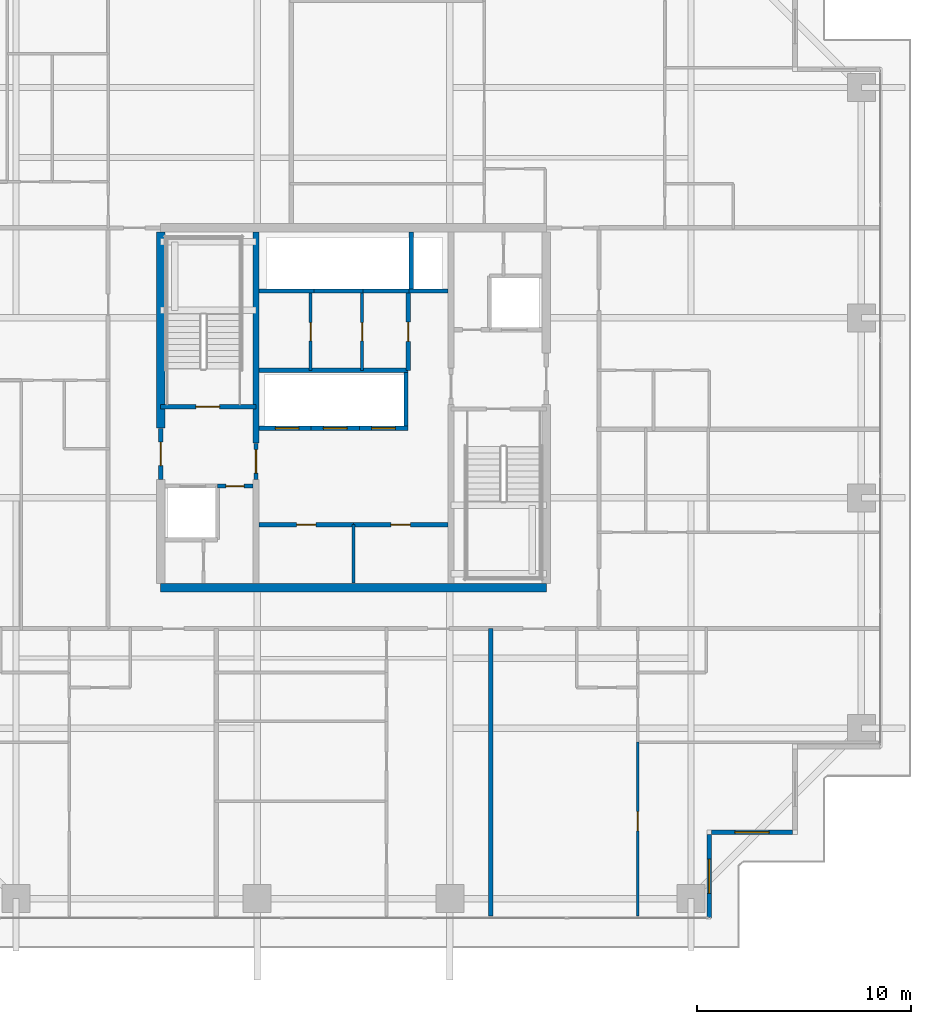
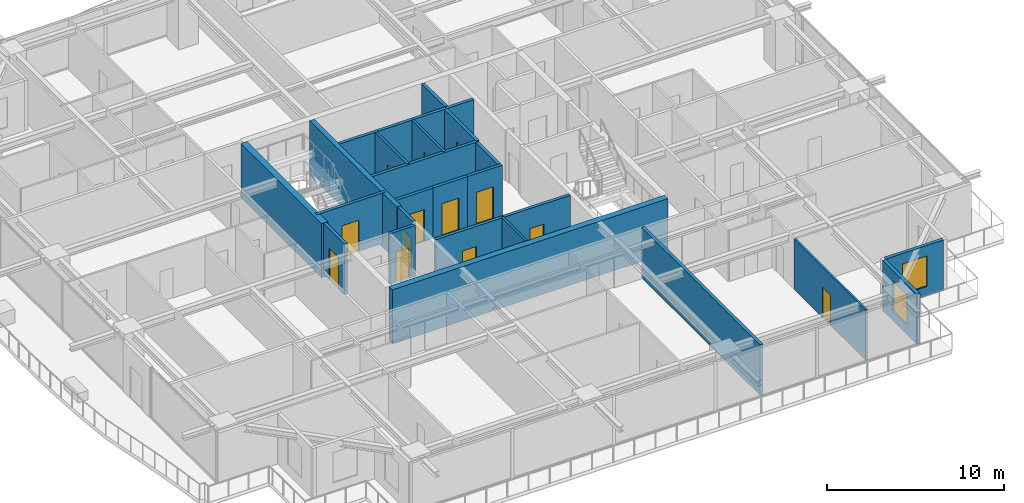
# One storey, part 28 of 37: 27 walls, 13 doors, 2 windows, 15 openings.
"""IFC4 building model written with IfcOpenShell, lengths in metres."""

from ifc_helpers import new_model, si_unit, direction, frame, frame_2d, origin, place, context, subcontext, project, spatial, rectangle, extrude, source, transform, mapped, material, layer, layer_set, type_object, element, fill, save


model = new_model("IFC4")

# Units and contexts
model_context = context("Model", 3, precision=1e-05, world=origin(), true_north=direction((0.0, 1.0)))
body_context = subcontext(model_context, "Body", "Model", "MODEL_VIEW")
ifc_project = project(units=[si_unit("LENGTHUNIT", "METRE"), si_unit("AREAUNIT", "SQUARE_METRE"), si_unit("VOLUMEUNIT", "CUBIC_METRE"), si_unit("PLANEANGLEUNIT", "RADIAN"), si_unit("MASSUNIT", "GRAM", prefix="KILO")], contexts=[model_context])

# Site, building, storey
site_placement = place(None, origin())
site = spatial("IfcSite", under=ifc_project, at=site_placement, CompositionType="ELEMENT")
building_placement = place(site_placement, origin())
building = spatial("IfcBuilding", under=site, at=building_placement, Name="Serunith Strait Residences", CompositionType="ELEMENT")
storey_placement = place(building_placement, frame((0.0, 0.0, 138.89990234375)))
storey = spatial("IfcBuildingStorey", under=building, at=storey_placement, Name="L34", CompositionType="ELEMENT", Elevation=138.89990234375)

# Wall, opening, window
ifc_material_1 = material(Name="Pale-Champagne Aluminium Insulated Panel", Category="aluminium")
ifc_layer_1 = layer(ifc_material_1, 0.219970703125, Name="Pale-Champagne Aluminium Insulated Panel")
ifc_layer_set_1 = layer_set([ifc_layer_1], Name="Pale-Champagne Aluminium Insulated Panel")
wall_type_1 = type_object("IfcWallType", Name="EW-ALUM-220", PredefinedType="ELEMENTEDWALL", material=ifc_layer_set_1)
wall_1_placement = place(storey_placement, frame((49.0, 1.39990234375, 0.0), z_axis=(0.0, 0.0, 1.0), x_axis=(0.0, 1.0, 0.0)))
wall_1 = element("IfcWall", 1, at=wall_1_placement, inside=storey, type_object=wall_type_1, Name="L34 Girih Serrated Corner Wall 02", PredefinedType="ELEMENTEDWALL", context=body_context, shape_type="SweptSolid", body=[
    extrude(rectangle(XDim=3.89013671875, YDim=0.219970703125, at=frame_2d((1.945068359375, 0.0))), origin(), (0.0, 0.0, 1.0), 3.47509765625),
])
opening_1_placement = place(wall_1_placement, frame((1.14501953125, 0.0, 0.64990234375)))
opening_1 = element("IfcOpeningElement", 2, at=opening_1_placement, cuts=wall_1, Name="Opening W-02", PredefinedType="OPENING", context=body_context, shape_type="SweptSolid", body=[
    extrude(rectangle(XDim=1.60009765625, YDim=2.10009765625, at=frame_2d((0.800048828125, 1.050048828125))), frame((0.0, 0.1201171875, 0.0), z_axis=(0.0, -1.0, 0.0), x_axis=(1.0, 0.0, 0.0)), (0.0, 0.0, 1.0), 0.239990234375),
])
ifc_material_2 = material(Name="Ceramic-Fritted Operable Aluminium Window Glass", Category="aluminium")
window_type = type_object("IfcWindowType", Name="WIN-C2", PartitioningType="DOUBLE_PANEL_VERTICAL", PredefinedType="WINDOW", material=ifc_material_2)
shared_shape_1 = source(origin(), body_context, "Body", "SweptSolid", [
    extrude(rectangle(XDim=1.60009765625, YDim=2.10009765625, at=frame_2d((0.800048828125, 1.050048828125))), frame((0.0, 0.030029296875, 0.0), z_axis=(0.0, -1.0, 0.0), x_axis=(1.0, 0.0, 0.0)), (0.0, 0.0, 1.0), 0.06005859375),
])
window_1_placement = place(opening_1_placement, origin())
window_1 = element("IfcWindow", 3, at=window_1_placement, inside=storey, type_object=window_type, Name="L34 Corner Operable Fritted Window 02", OverallHeight=2.10009765625, OverallWidth=1.60009765625, PartitioningType="SINGLE_PANEL", PredefinedType="WINDOW", context=body_context, shape_type="MappedRepresentation", body=[
    mapped(shared_shape_1, transform((0.0, 0.0, 0.0), scale=1.0)),
])
fill(opening_1, window_1)

wall_2_placement = place(storey_placement, frame((49.110107421875, 5.39990234375, 0.0), z_axis=(0.0, 0.0, 1.0), x_axis=(1.0, 0.0, 0.0)))
wall_2 = element("IfcWall", 4, at=wall_2_placement, inside=storey, type_object=wall_type_1, Name="L34 Girih Serrated Corner Wall 03", PredefinedType="ELEMENTEDWALL", context=body_context, shape_type="SweptSolid", body=[
    extrude(rectangle(XDim=3.77978515625, YDim=0.219970703125, at=frame_2d((1.889892578125, 0.0))), origin(), (0.0, 0.0, 1.0), 3.47509765625),
])
opening_2_placement = place(wall_2_placement, frame((1.090087890625, 0.0, 0.64990234375)))
opening_2 = element("IfcOpeningElement", 5, at=opening_2_placement, cuts=wall_2, Name="Opening W-02", PredefinedType="OPENING", context=body_context, shape_type="SweptSolid", body=[
    extrude(rectangle(XDim=1.60009765625, YDim=2.10009765625, at=frame_2d((0.800048828125, 1.050048828125))), frame((0.0, 0.1201171875, 0.0), z_axis=(0.0, -1.0, 0.0), x_axis=(1.0, 0.0, 0.0)), (0.0, 0.0, 1.0), 0.239990234375),
])
window_2_placement = place(opening_2_placement, origin())
window_2 = element("IfcWindow", 6, at=window_2_placement, inside=storey, type_object=window_type, Name="L34 Corner Operable Fritted Window 03", OverallHeight=2.10009765625, OverallWidth=1.60009765625, PartitioningType="SINGLE_PANEL", PredefinedType="WINDOW", context=body_context, shape_type="MappedRepresentation", body=[
    mapped(shared_shape_1, transform((0.0, 0.0, 0.0), scale=1.0)),
])
fill(opening_2, window_2)

# Wall, opening, door
ifc_material_3 = material(Name="Fire-rated masonry service closet wall", Category="masonry")
ifc_layer_2 = layer(ifc_material_3, 0.14990234375, Name="Fire-rated masonry service closet wall")
ifc_layer_set_2 = layer_set([ifc_layer_2], Name="Fire-rated masonry service closet wall")
wall_type_2 = type_object("IfcWallType", Name="IW-BOH-150", PredefinedType="PARTITIONING", material=ifc_layer_set_2)
wall_3_placement = place(storey_placement, frame((32.800048828125, 26.949951171875, 0.0), z_axis=(0.0, 0.0, 1.0), x_axis=(0.0, 1.0, 0.0)))
wall_3 = element("IfcWall", 7, at=wall_3_placement, inside=storey, type_object=wall_type_2, Name="L34 Partition Wall 015", PredefinedType="PARTITIONING", context=body_context, shape_type="SweptSolid", body=[
    extrude(rectangle(XDim=3.60009765625, YDim=0.14990234375, at=frame_2d((1.800048828125, 0.0))), origin(), (0.0, 0.0, 1.0), 3.489990234375),
])
opening_3_placement = place(wall_3_placement, frame((1.375, 0.0, 0.0)))
opening_3 = element("IfcOpeningElement", 8, at=opening_3_placement, cuts=wall_3, Name="Opening FD-850", PredefinedType="OPENING", context=body_context, shape_type="SweptSolid", body=[
    extrude(rectangle(XDim=0.85009765625, YDim=2.10009765625, at=frame_2d((0.425048828125, 1.050048828125))), frame((0.0, 0.0849609375, 0.0), z_axis=(0.0, -1.0, 0.0), x_axis=(1.0, 0.0, 0.0)), (0.0, 0.0, 1.0), 0.169921875),
])
ifc_material_4 = material(Name="Powder-coated steel service closet door", Category="steel")
door_type_1 = type_object("IfcDoorType", Name="FD-BOH-850", OperationType="NOTDEFINED", PredefinedType="DOOR", material=ifc_material_4)
shared_shape_2 = source(origin(), body_context, "Body", "SweptSolid", [
    extrude(rectangle(XDim=0.85009765625, YDim=2.10009765625, at=frame_2d((0.425048828125, 1.050048828125))), frame((0.0, 0.02490234375, 0.0), z_axis=(0.0, -1.0, 0.0), x_axis=(1.0, 0.0, 0.0)), (0.0, 0.0, 1.0), 0.050048828125),
])
door_1_placement = place(opening_3_placement, origin())
door_1 = element("IfcDoor", 9, at=door_1_placement, inside=storey, type_object=door_type_1, Name="L34 Linen Store Door", OperationType="SINGLE_SWING_RIGHT", OverallHeight=2.10009765625, OverallWidth=0.85009765625, PredefinedType="DOOR", context=body_context, shape_type="MappedRepresentation", body=[
    mapped(shared_shape_2, transform((0.0, 0.0, 0.0), scale=1.0)),
])
fill(opening_3, door_1)

wall_4_placement = place(storey_placement, frame((30.39990234375, 26.949951171875, 0.0), z_axis=(0.0, 0.0, 1.0), x_axis=(0.0, 1.0, 0.0)))
wall_4 = element("IfcWall", 10, at=wall_4_placement, inside=storey, type_object=wall_type_2, Name="L34 Partition Wall 016", PredefinedType="PARTITIONING", context=body_context, shape_type="SweptSolid", body=[
    extrude(rectangle(XDim=3.60009765625, YDim=0.14990234375, at=frame_2d((1.800048828125, 0.0))), origin(), (0.0, 0.0, 1.0), 3.489990234375),
])
opening_4_placement = place(wall_4_placement, frame((1.375, 0.0, 0.0)))
opening_4 = element("IfcOpeningElement", 11, at=opening_4_placement, cuts=wall_4, Name="Opening FD-850", PredefinedType="OPENING", context=body_context, shape_type="SweptSolid", body=[
    extrude(rectangle(XDim=0.85009765625, YDim=2.10009765625, at=frame_2d((0.425048828125, 1.050048828125))), frame((0.0, 0.0849609375, 0.0), z_axis=(0.0, -1.0, 0.0), x_axis=(1.0, 0.0, 0.0)), (0.0, 0.0, 1.0), 0.169921875),
])
door_2_placement = place(opening_4_placement, origin())
door_2 = element("IfcDoor", 12, at=door_2_placement, inside=storey, type_object=door_type_1, Name="L34 Housekeeping Supply Door", OperationType="SINGLE_SWING_LEFT", OverallHeight=2.10009765625, OverallWidth=0.85009765625, PredefinedType="DOOR", context=body_context, shape_type="MappedRepresentation", body=[
    mapped(shared_shape_2, transform((0.0, 0.0, 0.0), scale=1.0)),
])
fill(opening_4, door_2)

# Wall
wall_5_placement = place(storey_placement, frame((32.39990234375, 17.02001953125, 0.0), z_axis=(0.0, 0.0, 1.0), x_axis=(0.0, 1.0, 0.0)))
element("IfcWall", 13, at=wall_5_placement, inside=storey, type_object=wall_type_2, Name="L34 Partition Wall 019", PredefinedType="PARTITIONING", context=body_context, shape_type="SweptSolid", body=[
    extrude(rectangle(XDim=2.72998046875, YDim=0.14990234375, at=frame_2d((1.364990234375, 0.0))), origin(), (0.0, 0.0, 1.0), 3.489990234375),
])

# Wall, opening, door
ifc_material_5 = material(Name="Lightweight steel-stud gypsum partition", Category="steel")
ifc_layer_3 = layer(ifc_material_5, 0.1201171875, Name="Lightweight steel-stud gypsum partition")
ifc_layer_set_3 = layer_set([ifc_layer_3], Name="Lightweight steel-stud gypsum partition")
wall_type_3 = type_object("IfcWallType", Name="IW-PART-120", PredefinedType="PARTITIONING", material=ifc_layer_set_3)
wall_6_placement = place(storey_placement, frame((45.659912109375, 1.4951171875, 0.0), z_axis=(0.0, 0.0, 1.0), x_axis=(0.0, 1.0, 0.0)))
wall_6 = element("IfcWall", 14, at=wall_6_placement, inside=storey, type_object=wall_type_3, Name="L34 Partition Wall 050", PredefinedType="PARTITIONING", context=body_context, shape_type="SweptSolid", body=[
    extrude(rectangle(XDim=8.102783203125, YDim=0.1201171875, at=frame_2d((4.05126953125, 0.0))), origin(), (0.0, 0.0, 1.0), 3.489990234375),
])
opening_5_placement = place(wall_6_placement, frame((3.9619140625, 0.0, 0.0)))
opening_5 = element("IfcOpeningElement", 15, at=opening_5_placement, cuts=wall_6, Name="Opening D-RM900", PredefinedType="OPENING", context=body_context, shape_type="SweptSolid", body=[
    extrude(rectangle(XDim=0.89990234375, YDim=2.10009765625, at=frame_2d((0.449951171875, 1.050048828125))), frame((0.0, 0.070068359375, 0.0), z_axis=(0.0, -1.0, 0.0), x_axis=(1.0, 0.0, 0.0)), (0.0, 0.0, 1.0), 0.14013671875),
])
ifc_material_6 = material(Name="Engineered timber flush bedroom door", Category="wood")
door_type_2 = type_object("IfcDoorType", Name="ID-ROOM-900", OperationType="NOTDEFINED", PredefinedType="DOOR", material=ifc_material_6)
shared_shape_3 = source(origin(), body_context, "Body", "SweptSolid", [
    extrude(rectangle(XDim=0.89990234375, YDim=2.10009765625, at=frame_2d((0.449951171875, 1.050048828125))), frame((0.0, 0.02490234375, 0.0), z_axis=(0.0, -1.0, 0.0), x_axis=(1.0, 0.0, 0.0)), (0.0, 0.0, 1.0), 0.050048828125),
])
door_3_placement = place(opening_5_placement, origin())
door_3 = element("IfcDoor", 16, at=door_3_placement, inside=storey, type_object=door_type_2, Name="L34 Master Bedroom 1 3403 Door", OperationType="SINGLE_SWING_LEFT", OverallHeight=2.10009765625, OverallWidth=0.89990234375, PredefinedType="DOOR", context=body_context, shape_type="MappedRepresentation", body=[
    mapped(shared_shape_3, transform((0.0, 0.0, 0.0), scale=1.0)),
])
fill(opening_5, door_3)

# Wall
ifc_material_7 = material(Name="Twin-stud acoustic gypsum board partition")
ifc_layer_4 = layer(ifc_material_7, 0.199951171875, Name="Twin-stud acoustic gypsum board partition")
ifc_layer_set_4 = layer_set([ifc_layer_4], Name="Twin-stud acoustic gypsum board partition")
wall_type_4 = type_object("IfcWallType", Name="IW-PARTY-200", PredefinedType="PARTITIONING", material=ifc_layer_set_4)
wall_7_placement = place(storey_placement, frame((38.800048828125, 1.48193359375, 0.0), z_axis=(0.0, 0.0, 1.0), x_axis=(0.0, 1.0, 0.0)))
element("IfcWall", 17, at=wall_7_placement, inside=storey, type_object=wall_type_4, Name="L34 Partition Wall 021", PredefinedType="PARTITIONING", context=body_context, shape_type="SweptSolid", body=[
    extrude(rectangle(XDim=13.41796875, YDim=0.199951171875, at=frame_2d((6.708984375, 0.0))), origin(), (0.0, 0.0, 1.0), 3.489990234375),
])

# Wall, opening, door
ifc_material_8 = material(Name="Autoclaved aerated concrete blockwork", Category="masonry")
ifc_layer_5 = layer(ifc_material_8, 0.199951171875, Name="Autoclaved aerated concrete blockwork")
ifc_layer_set_5 = layer_set([ifc_layer_5], Name="Autoclaved aerated concrete blockwork")
wall_type_5 = type_object("IfcWallType", Name="IW-SHAFT-200", PredefinedType="STANDARD", material=ifc_layer_set_5)
wall_8_placement = place(storey_placement, frame((23.39990234375, 25.25, 0.0), z_axis=(0.0, 0.0, 1.0), x_axis=(1.0, 0.0, 0.0)))
wall_8 = element("IfcWall", 18, at=wall_8_placement, inside=storey, type_object=wall_type_5, Name="L34 ST-1 South Shaft Wall", PredefinedType="STANDARD", context=body_context, shape_type="SweptSolid", body=[
    extrude(rectangle(XDim=4.4501953125, YDim=0.199951171875, at=frame_2d((2.22509765625, 0.0))), origin(), (0.0, 0.0, 1.0), 3.489990234375),
])
opening_6_placement = place(wall_8_placement, frame((1.64990234375, 0.0, 0.0)))
opening_6 = element("IfcOpeningElement", 19, at=opening_6_placement, cuts=wall_8, Name="Opening FD-1100", PredefinedType="OPENING", context=body_context, shape_type="SweptSolid", body=[
    extrude(rectangle(XDim=1.10009765625, YDim=2.14990234375, at=frame_2d((0.550048828125, 1.074951171875))), frame((0.0, 0.10986328125, 0.0), z_axis=(0.0, -1.0, 0.0), x_axis=(1.0, 0.0, 0.0)), (0.0, 0.0, 1.0), 0.219970703125),
])
ifc_material_9 = material(Name="Galvanised steel fire door leaf", Category="steel")
door_type_3 = type_object("IfcDoorType", Name="FD-STAIR-1100", OperationType="NOTDEFINED", PredefinedType="DOOR", material=ifc_material_9)
shared_shape_4 = source(origin(), body_context, "Body", "SweptSolid", [
    extrude(rectangle(XDim=1.10009765625, YDim=2.14990234375, at=frame_2d((0.550048828125, 1.074951171875))), frame((0.0, 0.02490234375, 0.0), z_axis=(0.0, -1.0, 0.0), x_axis=(1.0, 0.0, 0.0)), (0.0, 0.0, 1.0), 0.050048828125),
])
door_4_placement = place(opening_6_placement, origin())
door_4 = element("IfcDoor", 20, at=door_4_placement, inside=storey, type_object=door_type_3, Name="L34 ST-1 Escape Stair Door", OperationType="SINGLE_SWING_RIGHT", OverallHeight=2.14990234375, OverallWidth=1.10009765625, PredefinedType="DOOR", context=body_context, shape_type="MappedRepresentation", body=[
    mapped(shared_shape_4, transform((0.0, 0.0, 0.0), scale=1.0)),
])
fill(opening_6, door_4)

wall_9_placement = place(storey_placement, frame((28.0, 24.25, 0.0), z_axis=(0.0, 0.0, 1.0), x_axis=(1.0, 0.0, 0.0)))
wall_9 = element("IfcWall", 21, at=wall_9_placement, inside=storey, type_object=wall_type_5, Name="L34 PL-4 South Shaft Wall", PredefinedType="STANDARD", context=body_context, shape_type="SweptSolid", body=[
    extrude(rectangle(XDim=2.425048828125, YDim=0.199951171875, at=frame_2d((1.21240234375, 0.0))), origin(), (0.0, 0.0, 1.0), 3.489990234375),
])
opening_7_placement = place(wall_9_placement, frame((0.75, 0.0, 0.0)))
opening_7 = element("IfcOpeningElement", 22, at=opening_7_placement, cuts=wall_9, Name="Opening LD-1100", PredefinedType="OPENING", context=body_context, shape_type="SweptSolid", body=[
    extrude(rectangle(XDim=1.10009765625, YDim=2.199951171875, at=frame_2d((0.550048828125, 1.10009765625))), frame((0.0, 0.10986328125, 0.0), z_axis=(0.0, -1.0, 0.0), x_axis=(1.0, 0.0, 0.0)), (0.0, 0.0, 1.0), 0.219970703125),
])
ifc_material_10 = material(Name="Pale-champagne stainless landing door")
door_type_4 = type_object("IfcDoorType", Name="LD-LIFT-1100", OperationType="DOUBLE_DOOR_SLIDING", PredefinedType="DOOR", material=ifc_material_10)
shared_shape_5 = source(origin(), body_context, "Body", "SweptSolid", [
    extrude(rectangle(XDim=1.10009765625, YDim=2.199951171875, at=frame_2d((0.550048828125, 1.10009765625))), frame((0.0, 0.02490234375, 0.0), z_axis=(0.0, -1.0, 0.0), x_axis=(1.0, 0.0, 0.0)), (0.0, 0.0, 1.0), 0.050048828125),
])
door_5_placement = place(opening_7_placement, origin())
door_5 = element("IfcDoor", 23, at=door_5_placement, inside=storey, type_object=door_type_4, Name="L34 PL-4 Landing Door", OperationType="DOUBLE_DOOR_SLIDING", OverallHeight=2.199951171875, OverallWidth=1.10009765625, PredefinedType="DOOR", context=body_context, shape_type="MappedRepresentation", body=[
    mapped(shared_shape_5, transform((0.0, 0.0, 0.0), scale=1.0)),
])
fill(opening_7, door_5)

wall_10_placement = place(storey_placement, frame((30.425048828125, 24.25, 0.0), z_axis=(0.0, 0.0, 1.0), x_axis=(1.0, 0.0, 0.0)))
wall_10 = element("IfcWall", 24, at=wall_10_placement, inside=storey, type_object=wall_type_5, Name="L34 PL-5 South Shaft Wall", PredefinedType="STANDARD", context=body_context, shape_type="SweptSolid", body=[
    extrude(rectangle(XDim=2.25, YDim=0.199951171875, at=frame_2d((1.125, 0.0))), origin(), (0.0, 0.0, 1.0), 3.489990234375),
])
opening_8_placement = place(wall_10_placement, frame((0.574951171875, 0.0, 0.0)))
opening_8 = element("IfcOpeningElement", 25, at=opening_8_placement, cuts=wall_10, Name="Opening LD-1100", PredefinedType="OPENING", context=body_context, shape_type="SweptSolid", body=[
    extrude(rectangle(XDim=1.10009765625, YDim=2.199951171875, at=frame_2d((0.550048828125, 1.10009765625))), frame((0.0, 0.10986328125, 0.0), z_axis=(0.0, -1.0, 0.0), x_axis=(1.0, 0.0, 0.0)), (0.0, 0.0, 1.0), 0.219970703125),
])
door_6_placement = place(opening_8_placement, origin())
door_6 = element("IfcDoor", 26, at=door_6_placement, inside=storey, type_object=door_type_4, Name="L34 PL-5 Landing Door", OperationType="DOUBLE_DOOR_SLIDING", OverallHeight=2.199951171875, OverallWidth=1.10009765625, PredefinedType="DOOR", context=body_context, shape_type="MappedRepresentation", body=[
    mapped(shared_shape_5, transform((0.0, 0.0, 0.0), scale=1.0)),
])
fill(opening_8, door_6)

wall_11_placement = place(storey_placement, frame((32.675048828125, 24.25, 0.0), z_axis=(0.0, 0.0, 1.0), x_axis=(1.0, 0.0, 0.0)))
wall_11 = element("IfcWall", 27, at=wall_11_placement, inside=storey, type_object=wall_type_5, Name="L34 PL-6 South Shaft Wall", PredefinedType="STANDARD", context=body_context, shape_type="SweptSolid", body=[
    extrude(rectangle(XDim=2.27490234375, YDim=0.199951171875, at=frame_2d((1.137451171875, 0.0))), origin(), (0.0, 0.0, 1.0), 3.489990234375),
])
opening_9_placement = place(wall_11_placement, frame((0.574951171875, 0.0, 0.0)))
opening_9 = element("IfcOpeningElement", 28, at=opening_9_placement, cuts=wall_11, Name="Opening LD-1100", PredefinedType="OPENING", context=body_context, shape_type="SweptSolid", body=[
    extrude(rectangle(XDim=1.10009765625, YDim=2.199951171875, at=frame_2d((0.550048828125, 1.10009765625))), frame((0.0, 0.10986328125, 0.0), z_axis=(0.0, -1.0, 0.0), x_axis=(1.0, 0.0, 0.0)), (0.0, 0.0, 1.0), 0.219970703125),
])
door_7_placement = place(opening_9_placement, origin())
door_7 = element("IfcDoor", 29, at=door_7_placement, inside=storey, type_object=door_type_4, Name="L34 PL-6 Landing Door", OperationType="DOUBLE_DOOR_SLIDING", OverallHeight=2.199951171875, OverallWidth=1.10009765625, PredefinedType="DOOR", context=body_context, shape_type="MappedRepresentation", body=[
    mapped(shared_shape_5, transform((0.0, 0.0, 0.0), scale=1.0)),
])
fill(opening_9, door_7)

# Walls
wall_12_placement = place(storey_placement, frame((34.85009765625, 24.35009765625, 0.0), z_axis=(0.0, 0.0, 1.0), x_axis=(0.0, 1.0, 0.0)))
element("IfcWall", 30, at=wall_12_placement, inside=storey, type_object=wall_type_5, Name="L34 PL-6 East Shaft Wall", PredefinedType="STANDARD", context=body_context, shape_type="SweptSolid", body=[
    extrude(rectangle(XDim=2.5, YDim=0.199951171875, at=frame_2d((1.25, 0.0))), origin(), (0.0, 0.0, 1.0), 3.489990234375),
])
wall_13_placement = place(storey_placement, frame((28.0, 30.64990234375, 0.0), z_axis=(0.0, 0.0, 1.0), x_axis=(1.0, 0.0, 0.0)))
element("IfcWall", 31, at=wall_13_placement, inside=storey, type_object=wall_type_5, Name="L34 PL-7 South Shaft Wall", PredefinedType="STANDARD", context=body_context, shape_type="SweptSolid", body=[
    extrude(rectangle(XDim=2.550048828125, YDim=0.199951171875, at=frame_2d((1.27490234375, 0.0))), origin(), (0.0, 0.0, 1.0), 3.489990234375),
])
wall_14_placement = place(storey_placement, frame((30.550048828125, 30.64990234375, 0.0), z_axis=(0.0, 0.0, 1.0), x_axis=(1.0, 0.0, 0.0)))
element("IfcWall", 32, at=wall_14_placement, inside=storey, type_object=wall_type_5, Name="L34 PL-8 South Shaft Wall", PredefinedType="STANDARD", context=body_context, shape_type="SweptSolid", body=[
    extrude(rectangle(XDim=2.300048828125, YDim=0.199951171875, at=frame_2d((1.14990234375, 0.0))), origin(), (0.0, 0.0, 1.0), 3.489990234375),
])
wall_15_placement = place(storey_placement, frame((32.85009765625, 30.64990234375, 0.0), z_axis=(0.0, 0.0, 1.0), x_axis=(1.0, 0.0, 0.0)))
element("IfcWall", 33, at=wall_15_placement, inside=storey, type_object=wall_type_5, Name="L34 PL-9 South Shaft Wall", PredefinedType="STANDARD", context=body_context, shape_type="SweptSolid", body=[
    extrude(rectangle(XDim=2.14990234375, YDim=0.199951171875, at=frame_2d((1.074951171875, 0.0))), origin(), (0.0, 0.0, 1.0), 3.489990234375),
])
wall_16_placement = place(storey_placement, frame((35.0, 30.64990234375, 0.0), z_axis=(0.0, 0.0, 1.0), x_axis=(1.0, 0.0, 0.0)))
element("IfcWall", 34, at=wall_16_placement, inside=storey, type_object=wall_type_5, Name="L34 SL-1 South Shaft Wall", PredefinedType="STANDARD", context=body_context, shape_type="SweptSolid", body=[
    extrude(rectangle(XDim=1.800048828125, YDim=0.199951171875, at=frame_2d((0.89990234375, 0.0))), origin(), (0.0, 0.0, 1.0), 3.489990234375),
])
wall_17_placement = place(storey_placement, frame((35.10009765625, 30.75, 0.0), z_axis=(0.0, 0.0, 1.0), x_axis=(0.0, 1.0, 0.0)))
element("IfcWall", 35, at=wall_17_placement, inside=storey, type_object=wall_type_5, Name="L34 SL-1 West Shaft Wall", PredefinedType="STANDARD", context=body_context, shape_type="SweptSolid", body=[
    extrude(rectangle(XDim=2.64990234375, YDim=0.199951171875, at=frame_2d((1.324951171875, 0.0))), origin(), (0.0, 0.0, 1.0), 3.489990234375),
])

# Wall, opening, door
wall_18_placement = place(storey_placement, frame((26.052001953125, 21.550048828125, 0.0), z_axis=(0.0, 0.0, 1.0), x_axis=(1.0, 0.0, 0.0)))
wall_18 = element("IfcWall", 36, at=wall_18_placement, inside=storey, type_object=wall_type_5, Name="L34 Partition Wall 003", PredefinedType="STANDARD", context=body_context, shape_type="SweptSolid", body=[
    extrude(rectangle(XDim=1.64794921875, YDim=0.199951171875, at=frame_2d((0.823974609375, 0.0))), origin(), (0.0, 0.0, 1.0), 3.489990234375),
])
opening_10_placement = place(wall_18_placement, frame((0.39892578125, 0.0, 0.0)))
opening_10 = element("IfcOpeningElement", 37, at=opening_10_placement, cuts=wall_18, Name="Opening FD-850", PredefinedType="OPENING", context=body_context, shape_type="SweptSolid", body=[
    extrude(rectangle(XDim=0.85009765625, YDim=2.10009765625, at=frame_2d((0.425048828125, 1.050048828125))), frame((0.0, 0.10986328125, 0.0), z_axis=(0.0, -1.0, 0.0), x_axis=(1.0, 0.0, 0.0)), (0.0, 0.0, 1.0), 0.219970703125),
])
door_8_placement = place(opening_10_placement, origin())
door_8 = element("IfcDoor", 38, at=door_8_placement, inside=storey, type_object=door_type_1, Name="L34 South-West Core Service Door", OperationType="SINGLE_SWING_LEFT", OverallHeight=2.10009765625, OverallWidth=0.85009765625, PredefinedType="DOOR", context=body_context, shape_type="MappedRepresentation", body=[
    mapped(shared_shape_2, transform((0.0, 0.0, 0.0), scale=1.0)),
])
fill(opening_10, door_8)

wall_19_placement = place(storey_placement, frame((23.39990234375, 21.85205078125, 0.0), z_axis=(0.0, 0.0, 1.0), x_axis=(0.0, 1.0, 0.0)))
wall_19 = element("IfcWall", 39, at=wall_19_placement, inside=storey, type_object=wall_type_5, Name="L34 Partition Wall 007", PredefinedType="STANDARD", context=body_context, shape_type="SweptSolid", body=[
    extrude(rectangle(XDim=2.39599609375, YDim=0.199951171875, at=frame_2d((1.197998046875, 0.0))), origin(), (0.0, 0.0, 1.0), 3.489990234375),
])
opening_11_placement = place(wall_19_placement, frame((0.64794921875, 0.0, 0.0)))
opening_11 = element("IfcOpeningElement", 40, at=opening_11_placement, cuts=wall_19, Name="Opening FD-FFL", PredefinedType="OPENING", context=body_context, shape_type="SweptSolid", body=[
    extrude(rectangle(XDim=1.10009765625, YDim=2.14990234375, at=frame_2d((0.550048828125, 1.074951171875))), frame((0.0, 0.10986328125, 0.0), z_axis=(0.0, -1.0, 0.0), x_axis=(1.0, 0.0, 0.0)), (0.0, 0.0, 1.0), 0.219970703125),
])
ifc_material_11 = material(Name="Glazed steel smoke-lobby fire door", Category="steel")
door_type_5 = type_object("IfcDoorType", Name="FD-FFL-1100", OperationType="NOTDEFINED", PredefinedType="DOOR", material=ifc_material_11)
door_9_placement = place(opening_11_placement, origin())
door_9 = element("IfcDoor", 41, at=door_9_placement, inside=storey, type_object=door_type_5, Name="L34 FFL-1 Corridor Fire Door", OperationType="SINGLE_SWING_LEFT", OverallHeight=2.14990234375, OverallWidth=1.10009765625, PredefinedType="DOOR", context=body_context, shape_type="MappedRepresentation", body=[
    mapped(shared_shape_4, transform((0.0, 0.0, 0.0), scale=1.0)),
])
fill(opening_11, door_9)

wall_20_placement = place(storey_placement, frame((27.85009765625, 21.85205078125, 0.0), z_axis=(0.0, 0.0, 1.0), x_axis=(0.0, 1.0, 0.0)))
wall_20 = element("IfcWall", 42, at=wall_20_placement, inside=storey, type_object=wall_type_5, Name="L34 Partition Wall 009", PredefinedType="STANDARD", context=body_context, shape_type="SweptSolid", body=[
    extrude(rectangle(XDim=1.696044921875, YDim=0.199951171875, at=frame_2d((0.84814453125, 0.0))), origin(), (0.0, 0.0, 1.0), 3.489990234375),
])
opening_12_placement = place(wall_20_placement, frame((0.298095703125, 0.0, 0.0)))
opening_12 = element("IfcOpeningElement", 43, at=opening_12_placement, cuts=wall_20, Name="Opening FD-FFL", PredefinedType="OPENING", context=body_context, shape_type="SweptSolid", body=[
    extrude(rectangle(XDim=1.10009765625, YDim=2.14990234375, at=frame_2d((0.550048828125, 1.074951171875))), frame((0.0, 0.10986328125, 0.0), z_axis=(0.0, -1.0, 0.0), x_axis=(1.0, 0.0, 0.0)), (0.0, 0.0, 1.0), 0.219970703125),
])
door_10_placement = place(opening_12_placement, origin())
door_10 = element("IfcDoor", 44, at=door_10_placement, inside=storey, type_object=door_type_5, Name="L34 FFL-1 Lift Lobby Door", OperationType="SINGLE_SWING_LEFT", OverallHeight=2.14990234375, OverallWidth=1.10009765625, PredefinedType="DOOR", context=body_context, shape_type="MappedRepresentation", body=[
    mapped(shared_shape_4, transform((0.0, 0.0, 0.0), scale=1.0)),
])
fill(opening_12, door_10)

# Wall
wall_21_placement = place(storey_placement, frame((28.0, 26.949951171875, 0.0), z_axis=(0.0, 0.0, 1.0), x_axis=(1.0, 0.0, 0.0)))
element("IfcWall", 45, at=wall_21_placement, inside=storey, type_object=wall_type_5, Name="L34 Partition Wall 011", PredefinedType="STANDARD", context=body_context, shape_type="SweptSolid", body=[
    extrude(rectangle(XDim=6.949951171875, YDim=0.199951171875, at=frame_2d((3.47509765625, 0.0))), origin(), (0.0, 0.0, 1.0), 3.489990234375),
])

# Wall, opening, door
wall_22_placement = place(storey_placement, frame((34.949951171875, 26.949951171875, 0.0), z_axis=(0.0, 0.0, 1.0), x_axis=(0.0, 1.0, 0.0)))
wall_22 = element("IfcWall", 46, at=wall_22_placement, inside=storey, type_object=wall_type_5, Name="L34 Partition Wall 014", PredefinedType="STANDARD", context=body_context, shape_type="SweptSolid", body=[
    extrude(rectangle(XDim=3.60009765625, YDim=0.199951171875, at=frame_2d((1.800048828125, 0.0))), origin(), (0.0, 0.0, 1.0), 3.489990234375),
])
opening_13_placement = place(wall_22_placement, frame((1.35009765625, 0.0, 0.0)))
opening_13 = element("IfcOpeningElement", 47, at=opening_13_placement, cuts=wall_22, Name="Opening FD-900", PredefinedType="OPENING", context=body_context, shape_type="SweptSolid", body=[
    extrude(rectangle(XDim=0.89990234375, YDim=2.10009765625, at=frame_2d((0.449951171875, 1.050048828125))), frame((0.0, 0.10986328125, 0.0), z_axis=(0.0, -1.0, 0.0), x_axis=(1.0, 0.0, 0.0)), (0.0, 0.0, 1.0), 0.219970703125),
])
ifc_material_12 = material(Name="Powder-coated steel riser door", Category="steel")
door_type_6 = type_object("IfcDoorType", Name="FD-BOH-900", OperationType="NOTDEFINED", PredefinedType="DOOR", material=ifc_material_12)
door_11_placement = place(opening_13_placement, origin())
door_11 = element("IfcDoor", 48, at=door_11_placement, inside=storey, type_object=door_type_6, Name="L34 Janitorial Store Door", OperationType="SINGLE_SWING_LEFT", OverallHeight=2.10009765625, OverallWidth=0.89990234375, PredefinedType="DOOR", context=body_context, shape_type="MappedRepresentation", body=[
    mapped(shared_shape_3, transform((0.0, 0.0, 0.0), scale=1.0)),
])
fill(opening_13, door_11)

wall_23_placement = place(storey_placement, frame((28.0, 19.75, 0.0), z_axis=(0.0, 0.0, 1.0), x_axis=(1.0, 0.0, 0.0)))
wall_23 = element("IfcWall", 49, at=wall_23_placement, inside=storey, type_object=wall_type_5, Name="L34 Partition Wall 017", PredefinedType="STANDARD", context=body_context, shape_type="SweptSolid", body=[
    extrude(rectangle(XDim=4.39990234375, YDim=0.199951171875, at=frame_2d((2.199951171875, 0.0))), origin(), (0.0, 0.0, 1.0), 3.489990234375),
])
opening_14_placement = place(wall_23_placement, frame((1.75, 0.0, 0.0)))
opening_14 = element("IfcOpeningElement", 50, at=opening_14_placement, cuts=wall_23, Name="Opening FD-900", PredefinedType="OPENING", context=body_context, shape_type="SweptSolid", body=[
    extrude(rectangle(XDim=0.89990234375, YDim=2.10009765625, at=frame_2d((0.449951171875, 1.050048828125))), frame((0.0, 0.10986328125, 0.0), z_axis=(0.0, -1.0, 0.0), x_axis=(1.0, 0.0, 0.0)), (0.0, 0.0, 1.0), 0.219970703125),
])
door_12_placement = place(opening_14_placement, origin())
door_12 = element("IfcDoor", 51, at=door_12_placement, inside=storey, type_object=door_type_6, Name="L34 Fan-Coil Plant Door", OperationType="SINGLE_SWING_RIGHT", OverallHeight=2.10009765625, OverallWidth=0.89990234375, PredefinedType="DOOR", context=body_context, shape_type="MappedRepresentation", body=[
    mapped(shared_shape_3, transform((0.0, 0.0, 0.0), scale=1.0)),
])
fill(opening_14, door_12)

wall_24_placement = place(storey_placement, frame((32.402099609375, 19.75, 0.0), z_axis=(0.0, 0.0, 1.0), x_axis=(1.0, 0.0, 0.0)))
wall_24 = element("IfcWall", 52, at=wall_24_placement, inside=storey, type_object=wall_type_5, Name="L34 Partition Wall 018", PredefinedType="STANDARD", context=body_context, shape_type="SweptSolid", body=[
    extrude(rectangle(XDim=4.39794921875, YDim=0.199951171875, at=frame_2d((2.198974609375, 0.0))), origin(), (0.0, 0.0, 1.0), 3.489990234375),
])
opening_15_placement = place(wall_24_placement, frame((1.7490234375, 0.0, 0.0)))
opening_15 = element("IfcOpeningElement", 53, at=opening_15_placement, cuts=wall_24, Name="Opening FD-900", PredefinedType="OPENING", context=body_context, shape_type="SweptSolid", body=[
    extrude(rectangle(XDim=0.89990234375, YDim=2.10009765625, at=frame_2d((0.449951171875, 1.050048828125))), frame((0.0, 0.10986328125, 0.0), z_axis=(0.0, -1.0, 0.0), x_axis=(1.0, 0.0, 0.0)), (0.0, 0.0, 1.0), 0.219970703125),
])
door_13_placement = place(opening_15_placement, origin())
door_13 = element("IfcDoor", 54, at=door_13_placement, inside=storey, type_object=door_type_6, Name="L34 Battery UPS Plant Door", OperationType="SINGLE_SWING_LEFT", OverallHeight=2.10009765625, OverallWidth=0.89990234375, PredefinedType="DOOR", context=body_context, shape_type="MappedRepresentation", body=[
    mapped(shared_shape_3, transform((0.0, 0.0, 0.0), scale=1.0)),
])
fill(opening_15, door_13)

# Walls
ifc_material_13 = material(Name="Concrete C70/85", Category="concrete")
ifc_layer_6 = layer(ifc_material_13, 0.300048828125, Name="Concrete C70/85")
ifc_layer_set_6 = layer_set([ifc_layer_6], Name="Concrete C70/85")
wall_type_6 = type_object("IfcWallType", Name="SW-300-C70", PredefinedType="SHEAR", material=ifc_layer_set_6)
wall_25_placement = place(storey_placement, frame((27.85009765625, 23.550048828125, -0.260009765625), z_axis=(0.0, 0.0, 1.0), x_axis=(0.0, 1.0, 0.0)))
element("IfcWall", 55, at=wall_25_placement, inside=storey, type_object=wall_type_6, Name="L34 Core Internal West Web North Pier", PredefinedType="SHEAR", context=body_context, shape_type="SweptSolid", body=[
    extrude(rectangle(XDim=9.849853515625, YDim=0.300048828125, at=frame_2d((4.9248046875, 0.0))), origin(), (0.0, 0.0, 1.0), 3.748046875),
])
ifc_layer_7 = layer(ifc_material_13, 0.39990234375, Name="Concrete C70/85")
ifc_layer_set_7 = layer_set([ifc_layer_7], Name="Concrete C70/85")
wall_type_7 = type_object("IfcWallType", Name="SW-400-C70", PredefinedType="SHEAR", material=ifc_layer_set_7)
wall_26_placement = place(storey_placement, frame((23.39990234375, 16.800048828125, -0.260009765625), z_axis=(0.0, 0.0, 1.0), x_axis=(1.0, 0.0, 0.0)))
element("IfcWall", 56, at=wall_26_placement, inside=storey, type_object=wall_type_7, Name="L34 Core South Shear Wall", PredefinedType="SHEAR", context=body_context, shape_type="SweptSolid", body=[
    extrude(rectangle(XDim=18.0, YDim=0.39990234375, at=frame_2d((9.0, 0.0))), origin(), (0.0, 0.0, 1.0), 3.748046875),
])
wall_27_placement = place(storey_placement, frame((23.39990234375, 24.25, -0.260009765625), z_axis=(0.0, 0.0, 1.0), x_axis=(0.0, 1.0, 0.0)))
element("IfcWall", 57, at=wall_27_placement, inside=storey, type_object=wall_type_7, Name="L34 Core West Shear Wall North Pier", PredefinedType="SHEAR", context=body_context, shape_type="SweptSolid", body=[
    extrude(rectangle(XDim=9.14990234375, YDim=0.39990234375, at=frame_2d((4.574951171875, 0.0))), origin(), (0.0, 0.0, 1.0), 3.748046875),
])

save(model, "model.ifc")
